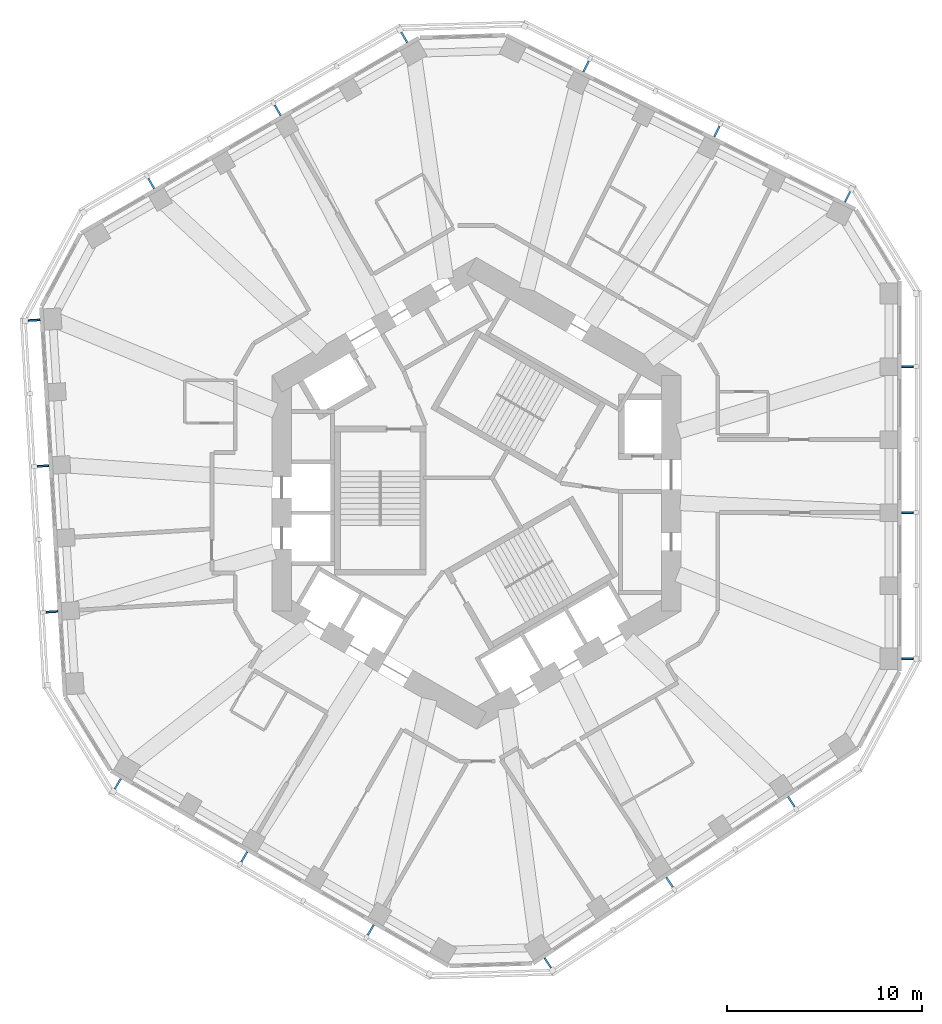
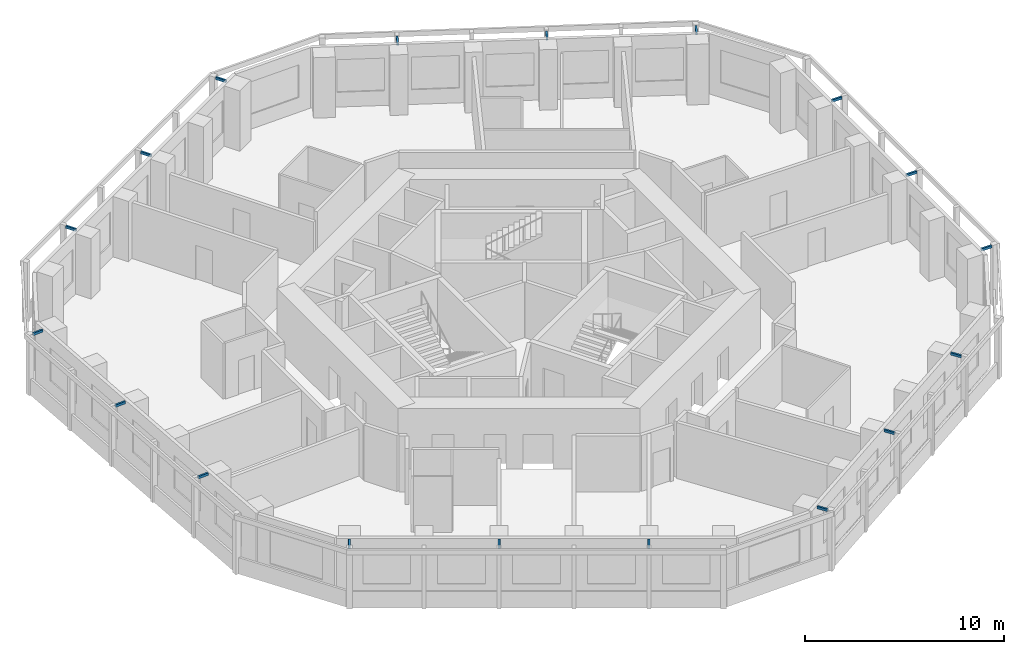
# One storey, part 10 of 11: 18 discrete accessories.
"""IFC4 building model written with IfcOpenShell, lengths in metres."""

from ifc_helpers import new_model, si_unit, direction, frame, origin, origin_2d, place, context, subcontext, project, spatial, rectangle, extrude, material, type_object, element, save


model = new_model("IFC4")

# Units and contexts
model_context = context("Model", 3, precision=1e-05, world=origin(), true_north=direction((0.0, 1.0)))
body_context = subcontext(model_context, "Body", "Model", "MODEL_VIEW")
ifc_project = project(units=[si_unit("LENGTHUNIT", "METRE"), si_unit("AREAUNIT", "SQUARE_METRE"), si_unit("VOLUMEUNIT", "CUBIC_METRE"), si_unit("PLANEANGLEUNIT", "RADIAN"), si_unit("MASSUNIT", "GRAM", prefix="KILO")], contexts=[model_context])

# Site, building, storey
site_placement = place(None, origin())
site = spatial("IfcSite", under=ifc_project, at=site_placement, CompositionType="ELEMENT")
building_placement = place(site_placement, origin())
building = spatial("IfcBuilding", under=site, at=building_placement, Name="Vanh Sen Convention Tower", CompositionType="ELEMENT")
storey_placement = place(building_placement, frame((0.0, 0.0, 187.300048828125)))
storey = spatial("IfcBuildingStorey", under=building, at=storey_placement, Name="L46", CompositionType="ELEMENT", Elevation=187.300048828125)

# Discrete accessories
ifc_material = material(Name="Steel S355", Category="steel")
discrete_accessory_type = type_object("IfcDiscreteAccessoryType", Name="Fin bracket 100 x 150", PredefinedType="BRACKET", material=ifc_material)
for number, where, z_axis, x_axis, name in (
    (1, (22.14990234375, -8.5009765625, 3.5), (0.0, 0.0, 1.0), (1.0, 0.0, 0.0), "Fin bracket E-1 L46"),
    (2, (22.14990234375, -0.992919921875, 3.5), (0.0, 0.0, 1.0), (1.0, 0.0, 0.0), "Fin bracket E-3 L46"),
    (3, (22.14990234375, 6.515380859375, 3.5), (0.0, 0.0, 1.0), (1.0, 0.0, 0.0), "Fin bracket E-5 L46"),
    (4, (19.073974609375, 15.240478515625, 3.5), (0.0, 0.0, 1.0), (0.44619781311, 0.894934361602, 0.0), "Fin bracket NE-1 L46"),
    (5, (12.3544921875, 18.5908203125, 3.5), (0.0, 0.0, 1.0), (0.44619781311, 0.894934361602, 0.0), "Fin bracket NE-3 L46"),
    (6, (5.635009765625, 21.94091796875, 3.5), (0.0, 0.0, 1.0), (0.44619781311, 0.894934361602, 0.0), "Fin bracket NE-5 L46"),
    (7, (-3.712890625, 23.432861328125, 3.5), (0.0, 0.0, 1.0), (-0.5, 0.866025403784, 0.0), "Fin bracket NW-1 L46"),
    (8, (-10.215087890625, 19.6787109375, 3.5), (0.0, 0.0, 1.0), (-0.5, 0.866025403784, 0.0), "Fin bracket NW-3 L46"),
    (9, (-16.717529296875, 15.9248046875, 3.5), (0.0, 0.0, 1.0), (-0.5, 0.866025403784, 0.0), "Fin bracket NW-5 L46"),
    (10, (-22.735595703125, 8.898193359375, 3.5), (0.0, 0.0, 1.0), (-0.998134798422, -0.061048539535, 0.0), "Fin bracket W-1 L46"),
    (11, (-22.277099609375, 1.40380859375, 3.5), (0.0, 0.0, 1.0), (-0.998134798422, -0.061048539535, 0.0), "Fin bracket W-3 L46"),
    (12, (-21.81884765625, -6.09033203125, 3.5), (0.0, 0.0, 1.0), (-0.998134798422, -0.061048539535, 0.0), "Fin bracket W-5 L46"),
    (13, (-18.43701171875, -14.931884765625, 3.5), (0.0, 0.0, 1.0), (-0.5, -0.866025403784, 0.0), "Fin bracket SW-1 L46"),
    (14, (-11.934814453125, -18.68603515625, 3.5), (0.0, 0.0, 1.0), (-0.5, -0.866025403784, 0.0), "Fin bracket SW-3 L46"),
    (15, (-5.4326171875, -22.440185546875, 3.5), (0.0, 0.0, 1.0), (-0.5, -0.866025403784, 0.0), "Fin bracket SW-5 L46"),
    (16, (3.66162109375, -24.138671875, 3.5), (0.0, 0.0, 1.0), (0.551936985312, -0.833885822067, 0.0), "Fin bracket SE-1 L46"),
    (17, (9.922607421875, -19.99462890625, 3.5), (0.0, 0.0, 1.0), (0.551936985312, -0.833885822067, 0.0), "Fin bracket SE-3 L46"),
    (18, (16.18359375, -15.8505859375, 3.5), (0.0, 0.0, 1.0), (0.551936985312, -0.833885822067, 0.0), "Fin bracket SE-5 L46"),
):
    element("IfcDiscreteAccessory", number, at=place(storey_placement, frame(where, z_axis=z_axis, x_axis=x_axis)), inside=storey, type_object=discrete_accessory_type, Name=name, PredefinedType="BRACKET", context=body_context, shape_type="SweptSolid", body=[
        extrude(rectangle(XDim=0.60009765625, YDim=0.10009765625, at=origin_2d()), origin(), (0.0, 0.0, 1.0), 0.14990234375),
    ])

save(model, "model.ifc")
